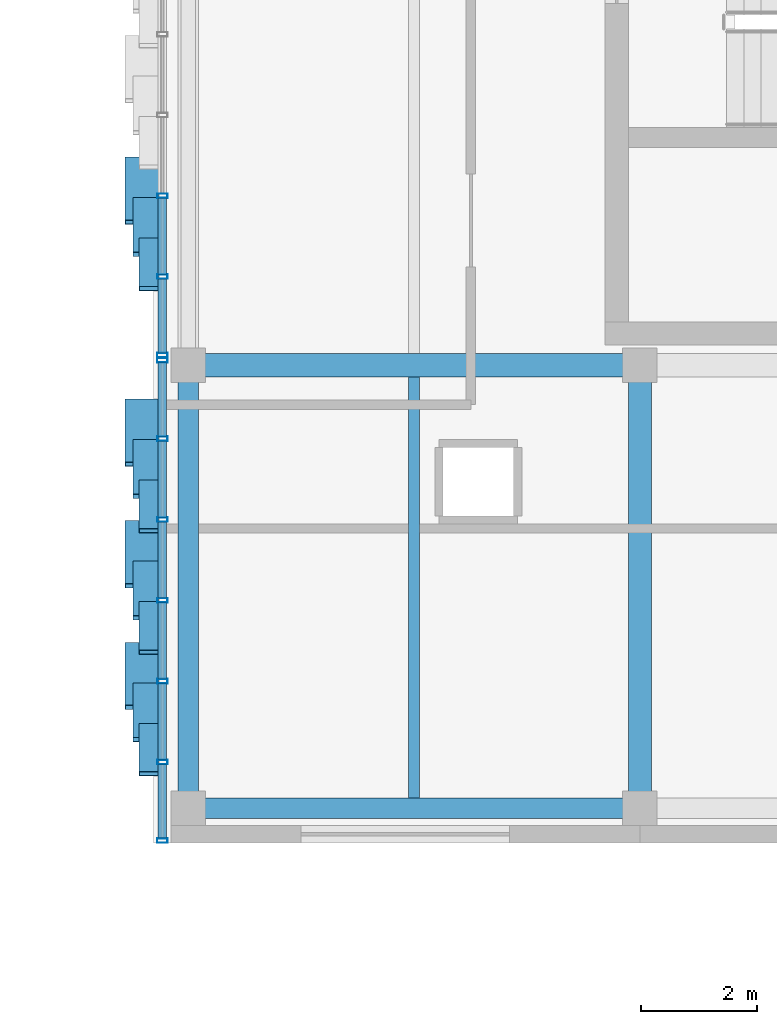
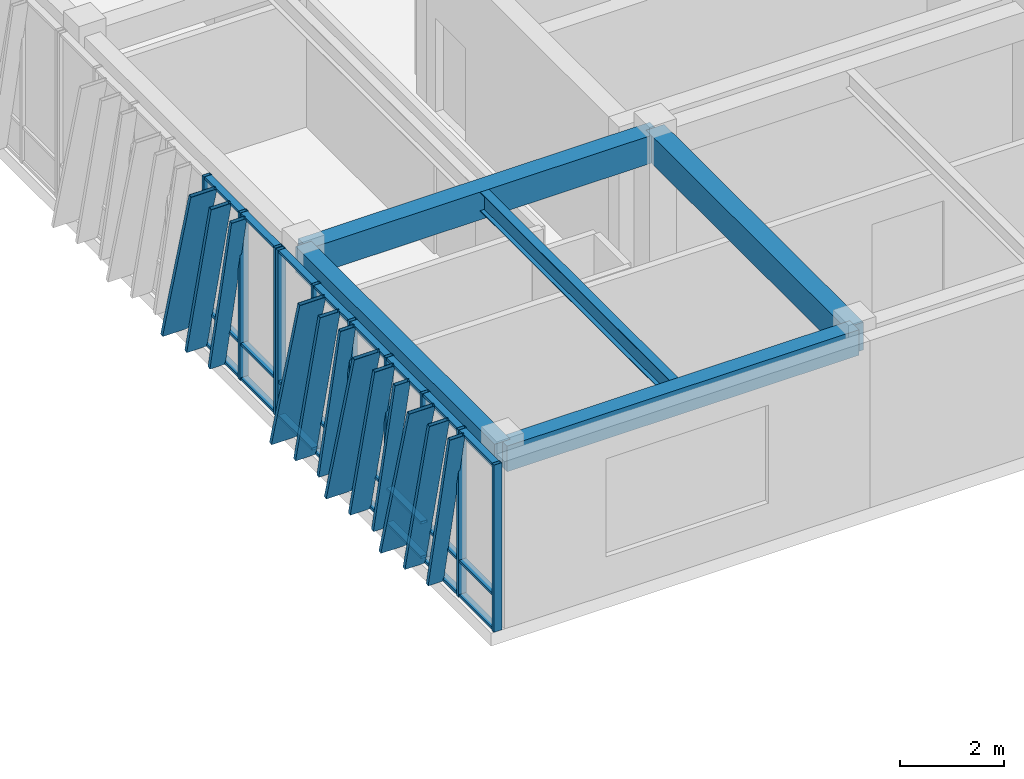
# One storey, part 29 of 127: 46 members, 5 beams, 2 elements without a shape of their own.
"""IFC4 building model written with IfcOpenShell, lengths in metres."""

from ifc_helpers import new_model, si_unit, direction, frame, origin, origin_2d, place, context, subcontext, project, spatial, rectangle, hollow_rectangle, i_section, extrude, material, layer, layer_set, material_profile, profile_set, type_object, element, aggregate, save


model = new_model("IFC4")

# Units and contexts
model_context = context("Model", 3, precision=1e-05, world=origin(), true_north=direction((0.0, 1.0)))
body_context = subcontext(model_context, "Body", "Model", "MODEL_VIEW")
ifc_project = project(units=[si_unit("LENGTHUNIT", "METRE"), si_unit("AREAUNIT", "SQUARE_METRE"), si_unit("VOLUMEUNIT", "CUBIC_METRE"), si_unit("PLANEANGLEUNIT", "RADIAN"), si_unit("MASSUNIT", "GRAM", prefix="KILO")], contexts=[model_context])

# Site, building, storey
site_placement = place(None, origin())
site = spatial("IfcSite", under=ifc_project, at=site_placement, CompositionType="ELEMENT")
building_placement = place(site_placement, origin())
building = spatial("IfcBuilding", under=site, at=building_placement, Name="Zayran Congress Hotel", CompositionType="ELEMENT")
storey_placement = place(building_placement, frame((0.0, 0.0, 10.800048828125)))
storey = spatial("IfcBuildingStorey", under=building, at=storey_placement, Name="L02", CompositionType="ELEMENT", Elevation=10.800048828125)

# Beams
ifc_material_1 = material(Name="Concrete C40/50", Category="concrete")
ifc_material_profile_1 = material_profile(ifc_material_1, rectangle(XDim=0.39990234375, YDim=0.64990234375, at=origin_2d()), Name="RC 400x650")
ifc_profile_set_1 = profile_set([ifc_material_profile_1], Name="Concrete C40/50")
beam_type_1 = type_object("IfcBeamType", Name="TP-BM-03", PredefinedType="BEAM", material=ifc_profile_set_1)
beam_1_placement = place(storey_placement, frame((109.800048828125, 50.800048828125, 3.594970703125), z_axis=(1.0, 0.0, 0.0), x_axis=(0.0, 1.0, 0.0)))
element("IfcBeam", 1, at=beam_1_placement, inside=storey, type_object=beam_type_1, Name="BM-V4-L02-1415", PredefinedType="BEAM", context=body_context, shape_type="SweptSolid", body=[
    extrude(rectangle(XDim=0.39990234375, YDim=0.64990234375, at=origin_2d()), origin(), (0.0, 0.0, 1.0), 7.800048828125),
])
beam_2_placement = place(storey_placement, frame((117.60009765625, 43.14990234375, 3.594970703125), z_axis=(0.0, 1.0, 0.0), x_axis=(-1.0, 0.0, 0.0)))
element("IfcBeam", 2, at=beam_2_placement, inside=storey, type_object=beam_type_1, Name="BM-V4-L02-1447", PredefinedType="BEAM", context=body_context, shape_type="SweptSolid", body=[
    extrude(rectangle(XDim=0.39990234375, YDim=0.64990234375, at=origin_2d()), origin(), (0.0, 0.0, 1.0), 7.650146484375),
])
ifc_material_profile_2 = material_profile(ifc_material_1, rectangle(XDim=0.35009765625, YDim=0.60009765625, at=origin_2d()), Name="RC 350x600")
ifc_profile_set_2 = profile_set([ifc_material_profile_2], Name="Concrete C40/50")
beam_type_2 = type_object("IfcBeamType", Name="TP-SP-01", PredefinedType="SPANDREL", material=ifc_profile_set_2)
beam_3_placement = place(storey_placement, frame((109.800048828125, 43.14990234375, 3.619873046875), z_axis=(1.0, 0.0, 0.0), x_axis=(0.0, 1.0, 0.0)))
element("IfcBeam", 3, at=beam_3_placement, inside=storey, type_object=beam_type_2, Name="BM-V4-L02-1412", PredefinedType="SPANDREL", context=body_context, shape_type="SweptSolid", body=[
    extrude(rectangle(XDim=0.35009765625, YDim=0.60009765625, at=origin_2d()), origin(), (0.0, 0.0, 1.0), 7.800048828125),
])
beam_4_placement = place(storey_placement, frame((109.800048828125, 43.14990234375, 3.619873046875), z_axis=(0.0, 1.0, 0.0), x_axis=(-1.0, 0.0, 0.0)))
element("IfcBeam", 4, at=beam_4_placement, inside=storey, type_object=beam_type_2, Name="BM-V4-L02-1439", PredefinedType="SPANDREL", context=body_context, shape_type="SweptSolid", body=[
    extrude(rectangle(XDim=0.35009765625, YDim=0.60009765625, at=origin_2d()), origin(), (0.0, 0.0, 1.0), 7.650146484375),
])
ifc_material_2 = material(Name="Steel S355", Category="steel")
ifc_material_profile_3 = material_profile(ifc_material_2, i_section(OverallWidth=0.18994140625, OverallDepth=0.449951171875, WebThickness=0.009521484375, FlangeThickness=0.0146484375, at=origin_2d()), Name="IPE 450")
ifc_profile_set_3 = profile_set([ifc_material_profile_3], Name="Steel S355")
beam_type_3 = type_object("IfcBeamType", Name="TP-JS-02", PredefinedType="JOIST", material=ifc_profile_set_3)
beam_5_placement = place(storey_placement, frame((113.699951171875, 43.324951171875, 3.695068359375), z_axis=(0.0, 1.0, 0.0), x_axis=(-1.0, 0.0, 0.0)))
element("IfcBeam", 5, at=beam_5_placement, inside=storey, type_object=beam_type_3, Name="JST-V4-L02-1469", PredefinedType="JOIST", context=body_context, shape_type="SweptSolid", body=[
    extrude(i_section(OverallWidth=0.18994140625, OverallDepth=0.449951171875, WebThickness=0.009521484375, FlangeThickness=0.0146484375, at=origin_2d()), origin(), (0.0, 0.0, 1.0), 7.275146484375),
])

# Curtain wall, members
ifc_material_3 = material(Name="Anodised aluminium and low-E insulated glass", Category="aluminium")
ifc_layer_1 = layer(ifc_material_3, 0.179931640625)
ifc_layer_set_1 = layer_set([ifc_layer_1], Name="Anodised aluminium and low-E insulated glass")
curtain_wall_type_1 = type_object("IfcCurtainWallType", Name="CW-V4W-L02-CW-51-8376-3920", PredefinedType="USERDEFINED", material=ifc_layer_set_1)
curtain_wall_1_placement = place(storey_placement, origin())
curtain_wall_1 = element("IfcCurtainWall", 6, at=curtain_wall_1_placement, inside=storey, type_object=curtain_wall_type_1, Name="CW-V4W-L02-0", ObjectType="CURTAIN WALL", PredefinedType="USERDEFINED")
ifc_material_4 = material(Name="Anodised aluminium framing", Category="aluminium")
ifc_material_profile_4 = material_profile(ifc_material_4, hollow_rectangle(XDim=0.080078125, YDim=0.179931640625, WallThickness=0.0048828125, at=origin_2d()), Name="RHS 180x80x5")
ifc_profile_set_4 = profile_set([ifc_material_profile_4], Name="Anodised aluminium framing")
member_type_1 = type_object("IfcMemberType", Name="TP-CWM-01", PredefinedType="MULLION", material=ifc_profile_set_4)
member_1_placement = place(storey_placement, frame((109.35009765625, 50.885986328125, 0.0), z_axis=(0.0, 0.0, 1.0), x_axis=(0.0, 1.0, 0.0)))
member_1 = element("IfcMember", 7, at=member_1_placement, type_object=member_type_1, Name="CW-V4W-L02-0-M00", PredefinedType="MULLION", context=body_context, shape_type="SweptSolid", body=[
    extrude(hollow_rectangle(XDim=0.080078125, YDim=0.179931640625, WallThickness=0.0048828125, at=origin_2d()), origin(), (0.0, 0.0, 1.0), 3.919921875),
])
member_2_placement = place(storey_placement, frame((109.35009765625, 49.530029296875, 0.0), z_axis=(0.0, 0.0, 1.0), x_axis=(0.0, 1.0, 0.0)))
member_2 = element("IfcMember", 8, at=member_2_placement, type_object=member_type_1, Name="CW-V4W-L02-0-M01", PredefinedType="MULLION", context=body_context, shape_type="SweptSolid", body=[
    extrude(hollow_rectangle(XDim=0.080078125, YDim=0.179931640625, WallThickness=0.0048828125, at=origin_2d()), origin(), (0.0, 0.0, 1.0), 3.919921875),
])
member_3_placement = place(storey_placement, frame((109.35009765625, 48.134033203125, 0.0), z_axis=(0.0, 0.0, 1.0), x_axis=(0.0, 1.0, 0.0)))
member_3 = element("IfcMember", 9, at=member_3_placement, type_object=member_type_1, Name="CW-V4W-L02-0-M02", PredefinedType="MULLION", context=body_context, shape_type="SweptSolid", body=[
    extrude(hollow_rectangle(XDim=0.080078125, YDim=0.179931640625, WallThickness=0.0048828125, at=origin_2d()), origin(), (0.0, 0.0, 1.0), 3.919921875),
])
member_4_placement = place(storey_placement, frame((109.35009765625, 46.738037109375, 0.0), z_axis=(0.0, 0.0, 1.0), x_axis=(0.0, 1.0, 0.0)))
member_4 = element("IfcMember", 10, at=member_4_placement, type_object=member_type_1, Name="CW-V4W-L02-0-M03", PredefinedType="MULLION", context=body_context, shape_type="SweptSolid", body=[
    extrude(hollow_rectangle(XDim=0.080078125, YDim=0.179931640625, WallThickness=0.0048828125, at=origin_2d()), origin(), (0.0, 0.0, 1.0), 3.919921875),
])
member_5_placement = place(storey_placement, frame((109.35009765625, 45.342041015625, 0.0), z_axis=(0.0, 0.0, 1.0), x_axis=(0.0, 1.0, 0.0)))
member_5 = element("IfcMember", 11, at=member_5_placement, type_object=member_type_1, Name="CW-V4W-L02-0-M04", PredefinedType="MULLION", context=body_context, shape_type="SweptSolid", body=[
    extrude(hollow_rectangle(XDim=0.080078125, YDim=0.179931640625, WallThickness=0.0048828125, at=origin_2d()), origin(), (0.0, 0.0, 1.0), 3.919921875),
])
member_6_placement = place(storey_placement, frame((109.35009765625, 43.946044921875, 0.0), z_axis=(0.0, 0.0, 1.0), x_axis=(0.0, 1.0, 0.0)))
member_6 = element("IfcMember", 12, at=member_6_placement, type_object=member_type_1, Name="CW-V4W-L02-0-M05", PredefinedType="MULLION", context=body_context, shape_type="SweptSolid", body=[
    extrude(hollow_rectangle(XDim=0.080078125, YDim=0.179931640625, WallThickness=0.0048828125, at=origin_2d()), origin(), (0.0, 0.0, 1.0), 3.919921875),
])
member_7_placement = place(storey_placement, frame((109.35009765625, 42.590087890625, 0.0), z_axis=(0.0, 0.0, 1.0), x_axis=(0.0, 1.0, 0.0)))
member_7 = element("IfcMember", 13, at=member_7_placement, type_object=member_type_1, Name="CW-V4W-L02-0-M06", PredefinedType="MULLION", context=body_context, shape_type="SweptSolid", body=[
    extrude(hollow_rectangle(XDim=0.080078125, YDim=0.179931640625, WallThickness=0.0048828125, at=origin_2d()), origin(), (0.0, 0.0, 1.0), 3.919921875),
])

ifc_layer_2 = layer(ifc_material_3, 0.179931640625)
ifc_layer_set_2 = layer_set([ifc_layer_2], Name="Anodised aluminium and low-E insulated glass")
curtain_wall_type_2 = type_object("IfcCurtainWallType", Name="CW-V4W-L02-CW-52-8371-3920", PredefinedType="USERDEFINED", material=ifc_layer_set_2)
curtain_wall_2_placement = place(storey_placement, origin())
curtain_wall_2 = element("IfcCurtainWall", 14, at=curtain_wall_2_placement, inside=storey, type_object=curtain_wall_type_2, Name="CW-V4W-L02-1", ObjectType="CURTAIN WALL", PredefinedType="USERDEFINED")
member_8_placement = place(storey_placement, frame((109.35009765625, 53.726318359375, 0.0), z_axis=(0.0, 0.0, 1.0), x_axis=(0.0, 1.0, 0.0)))
member_8 = element("IfcMember", 15, at=member_8_placement, type_object=member_type_1, Name="CW-V4W-L02-1-M04", PredefinedType="MULLION", context=body_context, shape_type="SweptSolid", body=[
    extrude(hollow_rectangle(XDim=0.080078125, YDim=0.179931640625, WallThickness=0.0048828125, at=origin_2d()), origin(), (0.0, 0.0, 1.0), 3.919921875),
])
member_9_placement = place(storey_placement, frame((109.35009765625, 52.331298828125, 0.0), z_axis=(0.0, 0.0, 1.0), x_axis=(0.0, 1.0, 0.0)))
member_9 = element("IfcMember", 16, at=member_9_placement, type_object=member_type_1, Name="CW-V4W-L02-1-M05", PredefinedType="MULLION", context=body_context, shape_type="SweptSolid", body=[
    extrude(hollow_rectangle(XDim=0.080078125, YDim=0.179931640625, WallThickness=0.0048828125, at=origin_2d()), origin(), (0.0, 0.0, 1.0), 3.919921875),
])
member_10_placement = place(storey_placement, frame((109.35009765625, 50.97607421875, 0.0), z_axis=(0.0, 0.0, 1.0), x_axis=(0.0, 1.0, 0.0)))
member_10 = element("IfcMember", 17, at=member_10_placement, type_object=member_type_1, Name="CW-V4W-L02-1-M06", PredefinedType="MULLION", context=body_context, shape_type="SweptSolid", body=[
    extrude(hollow_rectangle(XDim=0.080078125, YDim=0.179931640625, WallThickness=0.0048828125, at=origin_2d()), origin(), (0.0, 0.0, 1.0), 3.919921875),
])

# Member
ifc_material_profile_5 = material_profile(ifc_material_4, hollow_rectangle(XDim=0.06005859375, YDim=0.14990234375, WallThickness=0.00390625, at=origin_2d()), Name="RHS 150x60x4")
ifc_profile_set_5 = profile_set([ifc_material_profile_5], Name="Anodised aluminium framing")
member_type_2 = type_object("IfcMemberType", Name="TP-CWT-01", PredefinedType="USERDEFINED", material=ifc_profile_set_5)
member_11_placement = place(storey_placement, frame((109.35009765625, 50.845947265625, 0.030029296875), z_axis=(0.0, -1.0, 0.0), x_axis=(0.0, 0.0, 1.0)))
member_11 = element("IfcMember", 18, at=member_11_placement, type_object=member_type_2, Name="CW-V4W-L02-0-T00-0", ObjectType="TRANSOM", PredefinedType="USERDEFINED", context=body_context, shape_type="SweptSolid", body=[
    extrude(hollow_rectangle(XDim=0.06005859375, YDim=0.14990234375, WallThickness=0.00390625, at=origin_2d()), origin(), (0.0, 0.0, 1.0), 1.27587890625),
])

member_12_placement = place(storey_placement, frame((109.35009765625, 50.845947265625, 0.83984375), z_axis=(0.0, -1.0, 0.0), x_axis=(0.0, 0.0, 1.0)))
member_12 = element("IfcMember", 19, at=member_12_placement, type_object=member_type_2, Name="CW-V4W-L02-0-T00-1", ObjectType="TRANSOM", PredefinedType="USERDEFINED", context=body_context, shape_type="SweptSolid", body=[
    extrude(hollow_rectangle(XDim=0.06005859375, YDim=0.14990234375, WallThickness=0.00390625, at=origin_2d()), origin(), (0.0, 0.0, 1.0), 1.27587890625),
])

member_13_placement = place(storey_placement, frame((109.35009765625, 50.845947265625, 3.889892578125), z_axis=(0.0, -1.0, 0.0), x_axis=(0.0, 0.0, 1.0)))
member_13 = element("IfcMember", 20, at=member_13_placement, type_object=member_type_2, Name="CW-V4W-L02-0-T00-2", ObjectType="TRANSOM", PredefinedType="USERDEFINED", context=body_context, shape_type="SweptSolid", body=[
    extrude(hollow_rectangle(XDim=0.06005859375, YDim=0.14990234375, WallThickness=0.00390625, at=origin_2d()), origin(), (0.0, 0.0, 1.0), 1.27587890625),
])

member_14_placement = place(storey_placement, frame((109.35009765625, 49.489990234375, 0.030029296875), z_axis=(0.0, -1.0, 0.0), x_axis=(0.0, 0.0, 1.0)))
member_14 = element("IfcMember", 21, at=member_14_placement, type_object=member_type_2, Name="CW-V4W-L02-0-T01-0", ObjectType="TRANSOM", PredefinedType="USERDEFINED", context=body_context, shape_type="SweptSolid", body=[
    extrude(hollow_rectangle(XDim=0.06005859375, YDim=0.14990234375, WallThickness=0.00390625, at=origin_2d()), origin(), (0.0, 0.0, 1.0), 1.31591796875),
])

member_15_placement = place(storey_placement, frame((109.35009765625, 49.489990234375, 0.83984375), z_axis=(0.0, -1.0, 0.0), x_axis=(0.0, 0.0, 1.0)))
member_15 = element("IfcMember", 22, at=member_15_placement, type_object=member_type_2, Name="CW-V4W-L02-0-T01-1", ObjectType="TRANSOM", PredefinedType="USERDEFINED", context=body_context, shape_type="SweptSolid", body=[
    extrude(hollow_rectangle(XDim=0.06005859375, YDim=0.14990234375, WallThickness=0.00390625, at=origin_2d()), origin(), (0.0, 0.0, 1.0), 1.31591796875),
])

member_16_placement = place(storey_placement, frame((109.35009765625, 49.489990234375, 3.889892578125), z_axis=(0.0, -1.0, 0.0), x_axis=(0.0, 0.0, 1.0)))
member_16 = element("IfcMember", 23, at=member_16_placement, type_object=member_type_2, Name="CW-V4W-L02-0-T01-2", ObjectType="TRANSOM", PredefinedType="USERDEFINED", context=body_context, shape_type="SweptSolid", body=[
    extrude(hollow_rectangle(XDim=0.06005859375, YDim=0.14990234375, WallThickness=0.00390625, at=origin_2d()), origin(), (0.0, 0.0, 1.0), 1.31591796875),
])

member_17_placement = place(storey_placement, frame((109.35009765625, 48.093994140625, 0.030029296875), z_axis=(0.0, -1.0, 0.0), x_axis=(0.0, 0.0, 1.0)))
member_17 = element("IfcMember", 24, at=member_17_placement, type_object=member_type_2, Name="CW-V4W-L02-0-T02-0", ObjectType="TRANSOM", PredefinedType="USERDEFINED", context=body_context, shape_type="SweptSolid", body=[
    extrude(hollow_rectangle(XDim=0.06005859375, YDim=0.14990234375, WallThickness=0.00390625, at=origin_2d()), origin(), (0.0, 0.0, 1.0), 1.31591796875),
])

member_18_placement = place(storey_placement, frame((109.35009765625, 48.093994140625, 0.83984375), z_axis=(0.0, -1.0, 0.0), x_axis=(0.0, 0.0, 1.0)))
member_18 = element("IfcMember", 25, at=member_18_placement, type_object=member_type_2, Name="CW-V4W-L02-0-T02-1", ObjectType="TRANSOM", PredefinedType="USERDEFINED", context=body_context, shape_type="SweptSolid", body=[
    extrude(hollow_rectangle(XDim=0.06005859375, YDim=0.14990234375, WallThickness=0.00390625, at=origin_2d()), origin(), (0.0, 0.0, 1.0), 1.31591796875),
])

member_19_placement = place(storey_placement, frame((109.35009765625, 48.093994140625, 3.889892578125), z_axis=(0.0, -1.0, 0.0), x_axis=(0.0, 0.0, 1.0)))
member_19 = element("IfcMember", 26, at=member_19_placement, type_object=member_type_2, Name="CW-V4W-L02-0-T02-2", ObjectType="TRANSOM", PredefinedType="USERDEFINED", context=body_context, shape_type="SweptSolid", body=[
    extrude(hollow_rectangle(XDim=0.06005859375, YDim=0.14990234375, WallThickness=0.00390625, at=origin_2d()), origin(), (0.0, 0.0, 1.0), 1.31591796875),
])

member_20_placement = place(storey_placement, frame((109.35009765625, 46.697998046875, 0.030029296875), z_axis=(0.0, -1.0, 0.0), x_axis=(0.0, 0.0, 1.0)))
member_20 = element("IfcMember", 27, at=member_20_placement, type_object=member_type_2, Name="CW-V4W-L02-0-T03-0", ObjectType="TRANSOM", PredefinedType="USERDEFINED", context=body_context, shape_type="SweptSolid", body=[
    extrude(hollow_rectangle(XDim=0.06005859375, YDim=0.14990234375, WallThickness=0.00390625, at=origin_2d()), origin(), (0.0, 0.0, 1.0), 1.31591796875),
])

member_21_placement = place(storey_placement, frame((109.35009765625, 46.697998046875, 0.83984375), z_axis=(0.0, -1.0, 0.0), x_axis=(0.0, 0.0, 1.0)))
member_21 = element("IfcMember", 28, at=member_21_placement, type_object=member_type_2, Name="CW-V4W-L02-0-T03-1", ObjectType="TRANSOM", PredefinedType="USERDEFINED", context=body_context, shape_type="SweptSolid", body=[
    extrude(hollow_rectangle(XDim=0.06005859375, YDim=0.14990234375, WallThickness=0.00390625, at=origin_2d()), origin(), (0.0, 0.0, 1.0), 1.31591796875),
])

member_22_placement = place(storey_placement, frame((109.35009765625, 46.697998046875, 3.889892578125), z_axis=(0.0, -1.0, 0.0), x_axis=(0.0, 0.0, 1.0)))
member_22 = element("IfcMember", 29, at=member_22_placement, type_object=member_type_2, Name="CW-V4W-L02-0-T03-2", ObjectType="TRANSOM", PredefinedType="USERDEFINED", context=body_context, shape_type="SweptSolid", body=[
    extrude(hollow_rectangle(XDim=0.06005859375, YDim=0.14990234375, WallThickness=0.00390625, at=origin_2d()), origin(), (0.0, 0.0, 1.0), 1.31591796875),
])

member_23_placement = place(storey_placement, frame((109.35009765625, 45.302001953125, 0.030029296875), z_axis=(0.0, -1.0, 0.0), x_axis=(0.0, 0.0, 1.0)))
member_23 = element("IfcMember", 30, at=member_23_placement, type_object=member_type_2, Name="CW-V4W-L02-0-T04-0", ObjectType="TRANSOM", PredefinedType="USERDEFINED", context=body_context, shape_type="SweptSolid", body=[
    extrude(hollow_rectangle(XDim=0.06005859375, YDim=0.14990234375, WallThickness=0.00390625, at=origin_2d()), origin(), (0.0, 0.0, 1.0), 1.31591796875),
])

member_24_placement = place(storey_placement, frame((109.35009765625, 45.302001953125, 0.83984375), z_axis=(0.0, -1.0, 0.0), x_axis=(0.0, 0.0, 1.0)))
member_24 = element("IfcMember", 31, at=member_24_placement, type_object=member_type_2, Name="CW-V4W-L02-0-T04-1", ObjectType="TRANSOM", PredefinedType="USERDEFINED", context=body_context, shape_type="SweptSolid", body=[
    extrude(hollow_rectangle(XDim=0.06005859375, YDim=0.14990234375, WallThickness=0.00390625, at=origin_2d()), origin(), (0.0, 0.0, 1.0), 1.31591796875),
])

member_25_placement = place(storey_placement, frame((109.35009765625, 45.302001953125, 3.889892578125), z_axis=(0.0, -1.0, 0.0), x_axis=(0.0, 0.0, 1.0)))
member_25 = element("IfcMember", 32, at=member_25_placement, type_object=member_type_2, Name="CW-V4W-L02-0-T04-2", ObjectType="TRANSOM", PredefinedType="USERDEFINED", context=body_context, shape_type="SweptSolid", body=[
    extrude(hollow_rectangle(XDim=0.06005859375, YDim=0.14990234375, WallThickness=0.00390625, at=origin_2d()), origin(), (0.0, 0.0, 1.0), 1.31591796875),
])

member_26_placement = place(storey_placement, frame((109.35009765625, 43.906005859375, 0.030029296875), z_axis=(0.0, -1.0, 0.0), x_axis=(0.0, 0.0, 1.0)))
member_26 = element("IfcMember", 33, at=member_26_placement, type_object=member_type_2, Name="CW-V4W-L02-0-T05-0", ObjectType="TRANSOM", PredefinedType="USERDEFINED", context=body_context, shape_type="SweptSolid", body=[
    extrude(hollow_rectangle(XDim=0.06005859375, YDim=0.14990234375, WallThickness=0.00390625, at=origin_2d()), origin(), (0.0, 0.0, 1.0), 1.276123046875),
])

member_27_placement = place(storey_placement, frame((109.35009765625, 43.906005859375, 0.83984375), z_axis=(0.0, -1.0, 0.0), x_axis=(0.0, 0.0, 1.0)))
member_27 = element("IfcMember", 34, at=member_27_placement, type_object=member_type_2, Name="CW-V4W-L02-0-T05-1", ObjectType="TRANSOM", PredefinedType="USERDEFINED", context=body_context, shape_type="SweptSolid", body=[
    extrude(hollow_rectangle(XDim=0.06005859375, YDim=0.14990234375, WallThickness=0.00390625, at=origin_2d()), origin(), (0.0, 0.0, 1.0), 1.276123046875),
])

member_28_placement = place(storey_placement, frame((109.35009765625, 43.906005859375, 3.889892578125), z_axis=(0.0, -1.0, 0.0), x_axis=(0.0, 0.0, 1.0)))
member_28 = element("IfcMember", 35, at=member_28_placement, type_object=member_type_2, Name="CW-V4W-L02-0-T05-2", ObjectType="TRANSOM", PredefinedType="USERDEFINED", context=body_context, shape_type="SweptSolid", body=[
    extrude(hollow_rectangle(XDim=0.06005859375, YDim=0.14990234375, WallThickness=0.00390625, at=origin_2d()), origin(), (0.0, 0.0, 1.0), 1.276123046875),
])

member_29_placement = place(storey_placement, frame((109.35009765625, 53.686279296875, 0.030029296875), z_axis=(0.0, -1.0, 0.0), x_axis=(0.0, 0.0, 1.0)))
member_29 = element("IfcMember", 36, at=member_29_placement, type_object=member_type_2, Name="CW-V4W-L02-1-T04-0", ObjectType="TRANSOM", PredefinedType="USERDEFINED", context=body_context, shape_type="SweptSolid", body=[
    extrude(hollow_rectangle(XDim=0.06005859375, YDim=0.14990234375, WallThickness=0.00390625, at=origin_2d()), origin(), (0.0, 0.0, 1.0), 1.315185546875),
])

member_30_placement = place(storey_placement, frame((109.35009765625, 53.686279296875, 0.83984375), z_axis=(0.0, -1.0, 0.0), x_axis=(0.0, 0.0, 1.0)))
member_30 = element("IfcMember", 37, at=member_30_placement, type_object=member_type_2, Name="CW-V4W-L02-1-T04-1", ObjectType="TRANSOM", PredefinedType="USERDEFINED", context=body_context, shape_type="SweptSolid", body=[
    extrude(hollow_rectangle(XDim=0.06005859375, YDim=0.14990234375, WallThickness=0.00390625, at=origin_2d()), origin(), (0.0, 0.0, 1.0), 1.315185546875),
])

member_31_placement = place(storey_placement, frame((109.35009765625, 53.686279296875, 3.889892578125), z_axis=(0.0, -1.0, 0.0), x_axis=(0.0, 0.0, 1.0)))
member_31 = element("IfcMember", 38, at=member_31_placement, type_object=member_type_2, Name="CW-V4W-L02-1-T04-2", ObjectType="TRANSOM", PredefinedType="USERDEFINED", context=body_context, shape_type="SweptSolid", body=[
    extrude(hollow_rectangle(XDim=0.06005859375, YDim=0.14990234375, WallThickness=0.00390625, at=origin_2d()), origin(), (0.0, 0.0, 1.0), 1.315185546875),
])

member_32_placement = place(storey_placement, frame((109.35009765625, 52.291259765625, 0.030029296875), z_axis=(0.0, -1.0, 0.0), x_axis=(0.0, 0.0, 1.0)))
member_32 = element("IfcMember", 39, at=member_32_placement, type_object=member_type_2, Name="CW-V4W-L02-1-T05-0", ObjectType="TRANSOM", PredefinedType="USERDEFINED", context=body_context, shape_type="SweptSolid", body=[
    extrude(hollow_rectangle(XDim=0.06005859375, YDim=0.14990234375, WallThickness=0.00390625, at=origin_2d()), origin(), (0.0, 0.0, 1.0), 1.275146484375),
])

member_33_placement = place(storey_placement, frame((109.35009765625, 52.291259765625, 0.83984375), z_axis=(0.0, -1.0, 0.0), x_axis=(0.0, 0.0, 1.0)))
member_33 = element("IfcMember", 40, at=member_33_placement, type_object=member_type_2, Name="CW-V4W-L02-1-T05-1", ObjectType="TRANSOM", PredefinedType="USERDEFINED", context=body_context, shape_type="SweptSolid", body=[
    extrude(hollow_rectangle(XDim=0.06005859375, YDim=0.14990234375, WallThickness=0.00390625, at=origin_2d()), origin(), (0.0, 0.0, 1.0), 1.275146484375),
])

member_34_placement = place(storey_placement, frame((109.35009765625, 52.291259765625, 3.889892578125), z_axis=(0.0, -1.0, 0.0), x_axis=(0.0, 0.0, 1.0)))
member_34 = element("IfcMember", 41, at=member_34_placement, type_object=member_type_2, Name="CW-V4W-L02-1-T05-2", ObjectType="TRANSOM", PredefinedType="USERDEFINED", context=body_context, shape_type="SweptSolid", body=[
    extrude(hollow_rectangle(XDim=0.06005859375, YDim=0.14990234375, WallThickness=0.00390625, at=origin_2d()), origin(), (0.0, 0.0, 1.0), 1.275146484375),
])

ifc_material_5 = material(Name="Warm bronze anodised aluminium", Category="aluminium")
ifc_material_profile_6 = material_profile(ifc_material_5, hollow_rectangle(XDim=0.080078125, YDim=0.580078125, WallThickness=0.006103515625, at=origin_2d()), Name="RHS 580x80x6")
ifc_profile_set_6 = profile_set([ifc_material_profile_6], Name="Warm bronze anodised aluminium")
member_type_3 = type_object("IfcMemberType", Name="TP-RFN-01", PredefinedType="MULLION", material=ifc_profile_set_6)
member_35_placement = place(storey_placement, frame((109.0, 50.176025390625, 0.0), z_axis=(0.0, -0.267253820088, 0.963626170072), x_axis=(0.0, 0.963626170072, 0.267253820088)))
member_35 = element("IfcMember", 42, at=member_35_placement, type_object=member_type_3, Name="Slanting Reed Mullion CW-51-01", PredefinedType="MULLION", context=body_context, shape_type="SweptSolid", body=[
    extrude(hollow_rectangle(XDim=0.080078125, YDim=0.580078125, WallThickness=0.006103515625, at=origin_2d()), origin(), (0.0, 0.0, 1.0), 4.06787109375),
])

member_36_placement = place(storey_placement, frame((109.0, 48.075927734375, 0.0), z_axis=(0.0, -0.26719808883, 0.963641624944), x_axis=(0.0, 0.963641624944, 0.26719808883)))
member_36 = element("IfcMember", 43, at=member_36_placement, type_object=member_type_3, Name="Slanting Reed Mullion CW-51-04", PredefinedType="MULLION", context=body_context, shape_type="SweptSolid", body=[
    extrude(hollow_rectangle(XDim=0.080078125, YDim=0.580078125, WallThickness=0.006103515625, at=origin_2d()), origin(), (0.0, 0.0, 1.0), 4.06787109375),
])

member_37_placement = place(storey_placement, frame((109.0, 45.97607421875, 0.0), z_axis=(0.0, -0.267253820088, 0.963626170072), x_axis=(0.0, 0.963626170072, 0.267253820088)))
member_37 = element("IfcMember", 44, at=member_37_placement, type_object=member_type_3, Name="Slanting Reed Mullion CW-51-07", PredefinedType="MULLION", context=body_context, shape_type="SweptSolid", body=[
    extrude(hollow_rectangle(XDim=0.080078125, YDim=0.580078125, WallThickness=0.006103515625, at=origin_2d()), origin(), (0.0, 0.0, 1.0), 4.06787109375),
])

member_38_placement = place(storey_placement, frame((109.0, 54.35693359375, 0.0), z_axis=(0.0, -0.26719808883, 0.963641624944), x_axis=(0.0, 0.963641624944, 0.26719808883)))
member_38 = element("IfcMember", 45, at=member_38_placement, type_object=member_type_3, Name="Slanting Reed Mullion CW-52-07", PredefinedType="MULLION", context=body_context, shape_type="SweptSolid", body=[
    extrude(hollow_rectangle(XDim=0.080078125, YDim=0.580078125, WallThickness=0.006103515625, at=origin_2d()), origin(), (0.0, 0.0, 1.0), 4.06787109375),
])

ifc_material_profile_7 = material_profile(ifc_material_5, hollow_rectangle(XDim=0.080078125, YDim=0.449951171875, WallThickness=0.006103515625, at=origin_2d()), Name="RHS 450x80x6")
ifc_profile_set_7 = profile_set([ifc_material_profile_7], Name="Warm bronze anodised aluminium")
member_type_4 = type_object("IfcMemberType", Name="TP-RFN-02", PredefinedType="MULLION", material=ifc_profile_set_7)
member_39_placement = place(storey_placement, frame((109.06494140625, 49.47607421875, 0.0), z_axis=(0.0, -0.233462281113, 0.972365858768), x_axis=(0.0, 0.972365858768, 0.233462281113)))
member_39 = element("IfcMember", 46, at=member_39_placement, type_object=member_type_4, Name="Slanting Reed Mullion CW-51-02", PredefinedType="MULLION", context=body_context, shape_type="SweptSolid", body=[
    extrude(hollow_rectangle(XDim=0.080078125, YDim=0.449951171875, WallThickness=0.006103515625, at=origin_2d()), origin(), (0.0, 0.0, 1.0), 4.03125),
])

member_40_placement = place(storey_placement, frame((109.06494140625, 47.3759765625, 0.0), z_axis=(0.0, -0.233462281113, 0.972365858768), x_axis=(0.0, 0.972365858768, 0.233462281113)))
member_40 = element("IfcMember", 47, at=member_40_placement, type_object=member_type_4, Name="Slanting Reed Mullion CW-51-05", PredefinedType="MULLION", context=body_context, shape_type="SweptSolid", body=[
    extrude(hollow_rectangle(XDim=0.080078125, YDim=0.449951171875, WallThickness=0.006103515625, at=origin_2d()), origin(), (0.0, 0.0, 1.0), 4.03125),
])

member_41_placement = place(storey_placement, frame((109.06494140625, 45.27587890625, 0.0), z_axis=(0.0, -0.233405019846, 0.972379605252), x_axis=(0.0, 0.972379605252, 0.233405019846)))
member_41 = element("IfcMember", 48, at=member_41_placement, type_object=member_type_4, Name="Slanting Reed Mullion CW-51-08", PredefinedType="MULLION", context=body_context, shape_type="SweptSolid", body=[
    extrude(hollow_rectangle(XDim=0.080078125, YDim=0.449951171875, WallThickness=0.006103515625, at=origin_2d()), origin(), (0.0, 0.0, 1.0), 4.03125),
])

member_42_placement = place(storey_placement, frame((109.06494140625, 53.656982421875, 0.0), z_axis=(0.0, -0.233462281113, 0.972365858768), x_axis=(0.0, 0.972365858768, 0.233462281113)))
member_42 = element("IfcMember", 49, at=member_42_placement, type_object=member_type_4, Name="Slanting Reed Mullion CW-52-08", PredefinedType="MULLION", context=body_context, shape_type="SweptSolid", body=[
    extrude(hollow_rectangle(XDim=0.080078125, YDim=0.449951171875, WallThickness=0.006103515625, at=origin_2d()), origin(), (0.0, 0.0, 1.0), 4.03125),
])

ifc_material_profile_8 = material_profile(ifc_material_5, hollow_rectangle(XDim=0.080078125, YDim=0.340087890625, WallThickness=0.006103515625, at=origin_2d()), Name="RHS 340x80x6")
ifc_profile_set_8 = profile_set([ifc_material_profile_8], Name="Warm bronze anodised aluminium")
member_type_5 = type_object("IfcMemberType", Name="TP-RFN-03", PredefinedType="MULLION", material=ifc_profile_set_8)
member_43_placement = place(storey_placement, frame((109.1201171875, 48.77587890625, 0.0), z_axis=(0.0, -0.207864584765, 0.978157612249), x_axis=(0.0, 0.978157612249, 0.207864584765)))
member_43 = element("IfcMember", 50, at=member_43_placement, type_object=member_type_5, Name="Slanting Reed Mullion CW-51-03", PredefinedType="MULLION", context=body_context, shape_type="SweptSolid", body=[
    extrude(hollow_rectangle(XDim=0.080078125, YDim=0.340087890625, WallThickness=0.006103515625, at=origin_2d()), origin(), (0.0, 0.0, 1.0), 4.007568359375),
])

member_44_placement = place(storey_placement, frame((109.1201171875, 46.676025390625, 0.0), z_axis=(0.0, -0.207922873001, 0.978145223821), x_axis=(0.0, 0.978145223821, 0.207922873001)))
member_44 = element("IfcMember", 51, at=member_44_placement, type_object=member_type_5, Name="Slanting Reed Mullion CW-51-06", PredefinedType="MULLION", context=body_context, shape_type="SweptSolid", body=[
    extrude(hollow_rectangle(XDim=0.080078125, YDim=0.340087890625, WallThickness=0.006103515625, at=origin_2d()), origin(), (0.0, 0.0, 1.0), 4.007568359375),
])

member_45_placement = place(storey_placement, frame((109.1201171875, 44.575927734375, 0.0), z_axis=(0.0, -0.207864584765, 0.978157612249), x_axis=(0.0, 0.978157612249, 0.207864584765)))
member_45 = element("IfcMember", 52, at=member_45_placement, type_object=member_type_5, Name="Slanting Reed Mullion CW-51-09", PredefinedType="MULLION", context=body_context, shape_type="SweptSolid", body=[
    extrude(hollow_rectangle(XDim=0.080078125, YDim=0.340087890625, WallThickness=0.006103515625, at=origin_2d()), origin(), (0.0, 0.0, 1.0), 4.007568359375),
])

aggregate(curtain_wall_1, [member_1, member_2, member_3, member_4, member_5, member_6, member_7, member_11, member_12, member_13, member_14, member_15, member_16, member_17, member_18, member_19, member_20, member_21, member_22, member_23, member_24, member_25, member_26, member_27, member_28, member_35, member_39, member_43, member_36, member_40, member_44, member_37, member_41, member_45])

member_46_placement = place(storey_placement, frame((109.1201171875, 52.95703125, 0.0), z_axis=(0.0, -0.207922873001, 0.978145223821), x_axis=(0.0, 0.978145223821, 0.207922873001)))
member_46 = element("IfcMember", 53, at=member_46_placement, type_object=member_type_5, Name="Slanting Reed Mullion CW-52-09", PredefinedType="MULLION", context=body_context, shape_type="SweptSolid", body=[
    extrude(hollow_rectangle(XDim=0.080078125, YDim=0.340087890625, WallThickness=0.006103515625, at=origin_2d()), origin(), (0.0, 0.0, 1.0), 4.007568359375),
])

aggregate(curtain_wall_2, [member_8, member_9, member_10, member_29, member_30, member_31, member_32, member_33, member_34, member_38, member_42, member_46])

save(model, "model.ifc")
